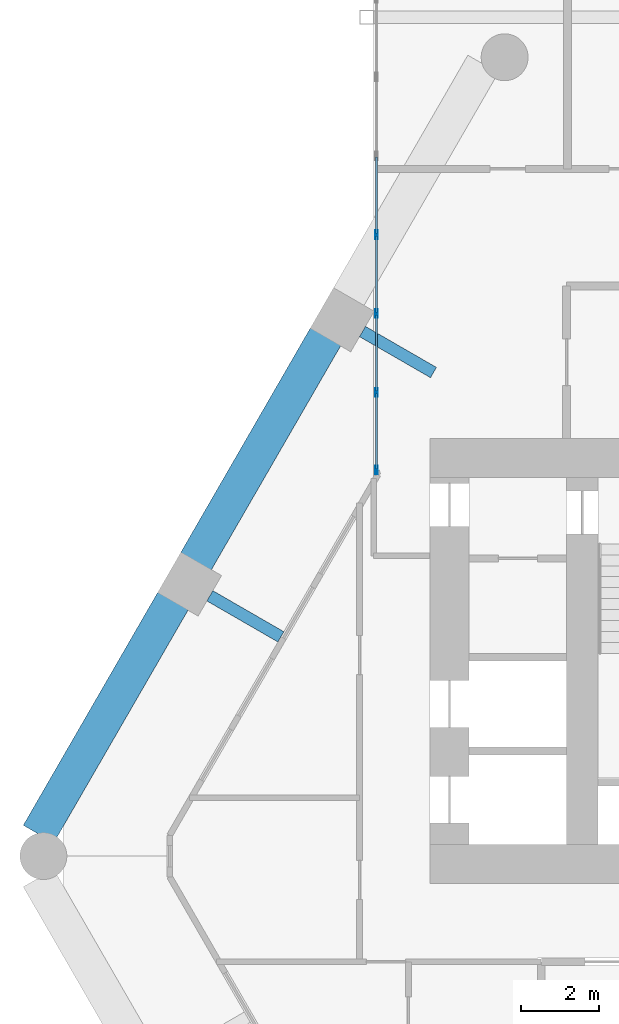
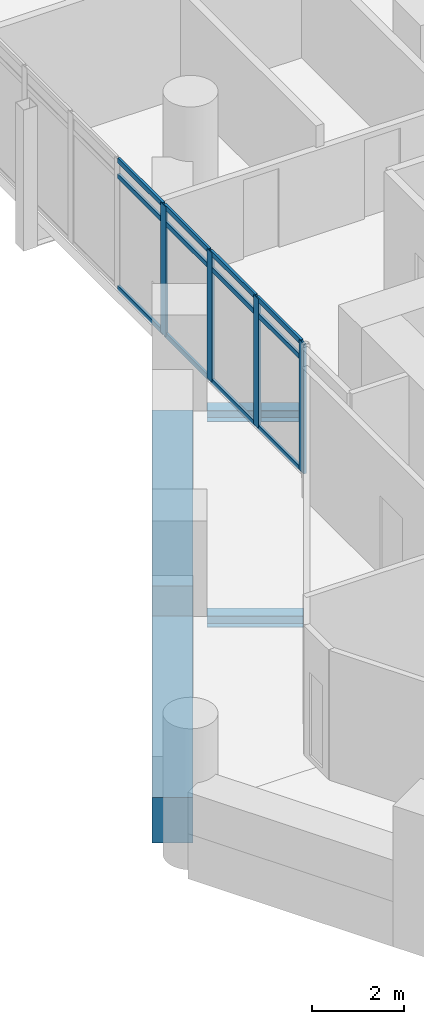
# One storey, part 12 of 28: 16 members, 4 beams, 1 element without a shape of its own.
"""IFC4 building model written with IfcOpenShell, lengths in metres."""

from ifc_helpers import new_model, si_unit, direction, frame, origin, origin_2d, place, context, subcontext, project, spatial, rectangle, hollow_rectangle, i_section, extrude, material, material_profile, profile_set, type_object, element, aggregate, save


model = new_model("IFC4")

# Units and contexts
model_context = context("Model", 3, precision=1e-05, world=origin(), true_north=direction((0.0, 1.0)))
body_context = subcontext(model_context, "Body", "Model", "MODEL_VIEW")
ifc_project = project(units=[si_unit("LENGTHUNIT", "METRE"), si_unit("AREAUNIT", "SQUARE_METRE"), si_unit("VOLUMEUNIT", "CUBIC_METRE"), si_unit("PLANEANGLEUNIT", "RADIAN"), si_unit("MASSUNIT", "GRAM", prefix="KILO")], contexts=[model_context])

# Site, building, storey
site_placement = place(None, origin())
site = spatial("IfcSite", under=ifc_project, at=site_placement, CompositionType="ELEMENT")
building_placement = place(site_placement, origin())
building = spatial("IfcBuilding", under=site, at=building_placement, Name="Ostrander Bayou Hotel Tower", CompositionType="ELEMENT")
storey_placement = place(building_placement, frame((0.0, 0.0, 134.75)))
storey = spatial("IfcBuildingStorey", under=building, at=storey_placement, Name="L33", CompositionType="ELEMENT", Elevation=134.75)

# Curtain wall, members
ifc_material_1 = material(Name="Aluminium and clear glass", Category="aluminium")
curtain_wall_type = type_object("IfcCurtainWallType", Name="CW-BAR glazed wall", PredefinedType="NOTDEFINED", material=ifc_material_1)
curtain_wall_placement = place(storey_placement, origin())
curtain_wall = element("IfcCurtainWall", 1, at=curtain_wall_placement, inside=storey, type_object=curtain_wall_type, Name="CW-BAR L33:SB3N:E", PredefinedType="NOTDEFINED")
ifc_material_2 = material(Name="Aluminium", Category="aluminium")
ifc_material_profile_1 = material_profile(ifc_material_2, hollow_rectangle(XDim=0.06005859375, YDim=0.219970703125, WallThickness=0.00390625, at=origin_2d()))
ifc_profile_set_1 = profile_set([ifc_material_profile_1], Name="Aluminium")
member_type_1 = type_object("IfcMemberType", Name="CW-BR mullion 60 x 220 mm", PredefinedType="MULLION", material=ifc_profile_set_1)
member_1_placement = place(storey_placement, frame((-13.3671875, 8.8916015625, 0.0), z_axis=(0.0, 0.0, 1.0), x_axis=(-1.0, 0.0, 0.0)))
member_1 = element("IfcMember", 2, at=member_1_placement, type_object=member_type_1, Name="CW-BAR mullion 1", PredefinedType="MULLION", context=body_context, shape_type="SweptSolid", body=[
    extrude(hollow_rectangle(XDim=0.06005859375, YDim=0.219970703125, WallThickness=0.00390625, at=origin_2d()), origin(), (0.0, 0.0, 1.0), 3.449951171875),
])
member_2_placement = place(storey_placement, frame((-13.3671875, 10.879150390625, 0.0), z_axis=(0.0, 0.0, 1.0), x_axis=(-1.0, 0.0, 0.0)))
member_2 = element("IfcMember", 3, at=member_2_placement, type_object=member_type_1, Name="CW-BAR mullion 2", PredefinedType="MULLION", context=body_context, shape_type="SweptSolid", body=[
    extrude(hollow_rectangle(XDim=0.06005859375, YDim=0.219970703125, WallThickness=0.00390625, at=origin_2d()), origin(), (0.0, 0.0, 1.0), 3.449951171875),
])
member_3_placement = place(storey_placement, frame((-13.3671875, 12.896728515625, 0.0), z_axis=(0.0, 0.0, 1.0), x_axis=(-1.0, 0.0, 0.0)))
member_3 = element("IfcMember", 4, at=member_3_placement, type_object=member_type_1, Name="CW-BAR mullion 3", PredefinedType="MULLION", context=body_context, shape_type="SweptSolid", body=[
    extrude(hollow_rectangle(XDim=0.06005859375, YDim=0.219970703125, WallThickness=0.00390625, at=origin_2d()), origin(), (0.0, 0.0, 1.0), 3.449951171875),
])
member_4_placement = place(storey_placement, frame((-13.3671875, 14.914306640625, 0.0), z_axis=(0.0, 0.0, 1.0), x_axis=(-1.0, 0.0, 0.0)))
member_4 = element("IfcMember", 5, at=member_4_placement, type_object=member_type_1, Name="CW-BAR mullion 4", PredefinedType="MULLION", context=body_context, shape_type="SweptSolid", body=[
    extrude(hollow_rectangle(XDim=0.06005859375, YDim=0.219970703125, WallThickness=0.00390625, at=origin_2d()), origin(), (0.0, 0.0, 1.0), 3.449951171875),
])
ifc_material_3 = material(Name="Aluminium", Category="aluminium")
ifc_material_profile_2 = material_profile(ifc_material_3, hollow_rectangle(XDim=0.06005859375, YDim=0.1298828125, WallThickness=0.00390625, at=origin_2d()))
ifc_profile_set_2 = profile_set([ifc_material_profile_2], Name="Aluminium")
member_type_2 = type_object("IfcMemberType", Name="CW-BR transom 60 x 130 mm", PredefinedType="USERDEFINED", material=ifc_profile_set_2)
member_5_placement = place(storey_placement, frame((-13.3671875, 8.921630859375, 0.030029296875), z_axis=(0.0, 1.0, 0.0), x_axis=(-1.0, 0.0, 0.0)))
member_5 = element("IfcMember", 6, at=member_5_placement, type_object=member_type_2, Name="CW-BAR transom 1.1", ObjectType="TRANSOM", PredefinedType="USERDEFINED", context=body_context, shape_type="SweptSolid", body=[
    extrude(hollow_rectangle(XDim=0.06005859375, YDim=0.1298828125, WallThickness=0.00390625, at=origin_2d()), origin(), (0.0, 0.0, 1.0), 1.927490234375),
])
member_6_placement = place(storey_placement, frame((-13.3671875, 8.921630859375, 3.0), z_axis=(0.0, 1.0, 0.0), x_axis=(-1.0, 0.0, 0.0)))
member_6 = element("IfcMember", 7, at=member_6_placement, type_object=member_type_2, Name="CW-BAR transom 1.2", ObjectType="TRANSOM", PredefinedType="USERDEFINED", context=body_context, shape_type="SweptSolid", body=[
    extrude(hollow_rectangle(XDim=0.06005859375, YDim=0.1298828125, WallThickness=0.00390625, at=origin_2d()), origin(), (0.0, 0.0, 1.0), 1.927490234375),
])
member_7_placement = place(storey_placement, frame((-13.3671875, 8.921630859375, 3.419921875), z_axis=(0.0, 1.0, 0.0), x_axis=(-1.0, 0.0, 0.0)))
member_7 = element("IfcMember", 8, at=member_7_placement, type_object=member_type_2, Name="CW-BAR transom 1.3", ObjectType="TRANSOM", PredefinedType="USERDEFINED", context=body_context, shape_type="SweptSolid", body=[
    extrude(hollow_rectangle(XDim=0.06005859375, YDim=0.1298828125, WallThickness=0.00390625, at=origin_2d()), origin(), (0.0, 0.0, 1.0), 1.927490234375),
])
member_8_placement = place(storey_placement, frame((-13.3671875, 10.9091796875, 0.030029296875), z_axis=(0.0, 1.0, 0.0), x_axis=(-1.0, 0.0, 0.0)))
member_8 = element("IfcMember", 9, at=member_8_placement, type_object=member_type_2, Name="CW-BAR transom 2.1", ObjectType="TRANSOM", PredefinedType="USERDEFINED", context=body_context, shape_type="SweptSolid", body=[
    extrude(hollow_rectangle(XDim=0.06005859375, YDim=0.1298828125, WallThickness=0.00390625, at=origin_2d()), origin(), (0.0, 0.0, 1.0), 1.95751953125),
])
member_9_placement = place(storey_placement, frame((-13.3671875, 10.9091796875, 3.0), z_axis=(0.0, 1.0, 0.0), x_axis=(-1.0, 0.0, 0.0)))
member_9 = element("IfcMember", 10, at=member_9_placement, type_object=member_type_2, Name="CW-BAR transom 2.2", ObjectType="TRANSOM", PredefinedType="USERDEFINED", context=body_context, shape_type="SweptSolid", body=[
    extrude(hollow_rectangle(XDim=0.06005859375, YDim=0.1298828125, WallThickness=0.00390625, at=origin_2d()), origin(), (0.0, 0.0, 1.0), 1.95751953125),
])
member_10_placement = place(storey_placement, frame((-13.3671875, 10.9091796875, 3.419921875), z_axis=(0.0, 1.0, 0.0), x_axis=(-1.0, 0.0, 0.0)))
member_10 = element("IfcMember", 11, at=member_10_placement, type_object=member_type_2, Name="CW-BAR transom 2.3", ObjectType="TRANSOM", PredefinedType="USERDEFINED", context=body_context, shape_type="SweptSolid", body=[
    extrude(hollow_rectangle(XDim=0.06005859375, YDim=0.1298828125, WallThickness=0.00390625, at=origin_2d()), origin(), (0.0, 0.0, 1.0), 1.95751953125),
])
member_11_placement = place(storey_placement, frame((-13.3671875, 12.9267578125, 0.030029296875), z_axis=(0.0, 1.0, 0.0), x_axis=(-1.0, 0.0, 0.0)))
member_11 = element("IfcMember", 12, at=member_11_placement, type_object=member_type_2, Name="CW-BAR transom 3.1", ObjectType="TRANSOM", PredefinedType="USERDEFINED", context=body_context, shape_type="SweptSolid", body=[
    extrude(hollow_rectangle(XDim=0.06005859375, YDim=0.1298828125, WallThickness=0.00390625, at=origin_2d()), origin(), (0.0, 0.0, 1.0), 1.95751953125),
])
member_12_placement = place(storey_placement, frame((-13.3671875, 12.9267578125, 3.0), z_axis=(0.0, 1.0, 0.0), x_axis=(-1.0, 0.0, 0.0)))
member_12 = element("IfcMember", 13, at=member_12_placement, type_object=member_type_2, Name="CW-BAR transom 3.2", ObjectType="TRANSOM", PredefinedType="USERDEFINED", context=body_context, shape_type="SweptSolid", body=[
    extrude(hollow_rectangle(XDim=0.06005859375, YDim=0.1298828125, WallThickness=0.00390625, at=origin_2d()), origin(), (0.0, 0.0, 1.0), 1.95751953125),
])
member_13_placement = place(storey_placement, frame((-13.3671875, 12.9267578125, 3.419921875), z_axis=(0.0, 1.0, 0.0), x_axis=(-1.0, 0.0, 0.0)))
member_13 = element("IfcMember", 14, at=member_13_placement, type_object=member_type_2, Name="CW-BAR transom 3.3", ObjectType="TRANSOM", PredefinedType="USERDEFINED", context=body_context, shape_type="SweptSolid", body=[
    extrude(hollow_rectangle(XDim=0.06005859375, YDim=0.1298828125, WallThickness=0.00390625, at=origin_2d()), origin(), (0.0, 0.0, 1.0), 1.95751953125),
])
member_14_placement = place(storey_placement, frame((-13.3671875, 14.9443359375, 0.030029296875), z_axis=(0.0, 1.0, 0.0), x_axis=(-1.0, 0.0, 0.0)))
member_14 = element("IfcMember", 15, at=member_14_placement, type_object=member_type_2, Name="CW-BAR transom 4.1", ObjectType="TRANSOM", PredefinedType="USERDEFINED", context=body_context, shape_type="SweptSolid", body=[
    extrude(hollow_rectangle(XDim=0.06005859375, YDim=0.1298828125, WallThickness=0.00390625, at=origin_2d()), origin(), (0.0, 0.0, 1.0), 1.95751953125),
])
member_15_placement = place(storey_placement, frame((-13.3671875, 14.9443359375, 3.0), z_axis=(0.0, 1.0, 0.0), x_axis=(-1.0, 0.0, 0.0)))
member_15 = element("IfcMember", 16, at=member_15_placement, type_object=member_type_2, Name="CW-BAR transom 4.2", ObjectType="TRANSOM", PredefinedType="USERDEFINED", context=body_context, shape_type="SweptSolid", body=[
    extrude(hollow_rectangle(XDim=0.06005859375, YDim=0.1298828125, WallThickness=0.00390625, at=origin_2d()), origin(), (0.0, 0.0, 1.0), 1.95751953125),
])
member_16_placement = place(storey_placement, frame((-13.3671875, 14.9443359375, 3.419921875), z_axis=(0.0, 1.0, 0.0), x_axis=(-1.0, 0.0, 0.0)))
member_16 = element("IfcMember", 17, at=member_16_placement, type_object=member_type_2, Name="CW-BAR transom 4.3", ObjectType="TRANSOM", PredefinedType="USERDEFINED", context=body_context, shape_type="SweptSolid", body=[
    extrude(hollow_rectangle(XDim=0.06005859375, YDim=0.1298828125, WallThickness=0.00390625, at=origin_2d()), origin(), (0.0, 0.0, 1.0), 1.95751953125),
])
aggregate(curtain_wall, [member_1, member_2, member_3, member_4, member_5, member_6, member_7, member_8, member_9, member_10, member_11, member_12, member_13, member_14, member_15, member_16])

# Beams
ifc_material_4 = material(Name="Steel ASTM A992", Category="steel")
ifc_material_profile_3 = material_profile(ifc_material_4, i_section(OverallWidth=0.3046875, OverallDepth=0.307861328125, WebThickness=0.010009765625, FlangeThickness=0.015380859375, at=origin_2d()))
ifc_profile_set_3 = profile_set([ifc_material_profile_3], Name="Steel ASTM A992")
beam_type_1 = type_object("IfcBeamType", Name="LB1 loggia bracket W12x65", PredefinedType="BEAM", material=ifc_profile_set_3)
for number, where, z_axis, x_axis, name in (
    (18, (-13.727783203125, 12.43701171875, -0.453857421875), (0.866009402589, -0.500027713859, 0.0), (0.500027713859, 0.866009402589, 0.0), "LB1 L33 NW1"),
    (19, (-17.634765625, 5.67041015625, -0.453857421875), (0.866038466041, -0.499977374825, 0.0), (0.499977374825, 0.866038466041, 0.0), "LB1 L33 NW2"),
):
    element("IfcBeam", number, at=place(storey_placement, frame(where, z_axis=z_axis, x_axis=x_axis)), inside=storey, type_object=beam_type_1, Name=name, PredefinedType="BEAM", context=body_context, shape_type="SweptSolid", body=[
        extrude(i_section(OverallWidth=0.3046875, OverallDepth=0.307861328125, WebThickness=0.010009765625, FlangeThickness=0.015380859375, at=origin_2d()), origin(), (0.0, 0.0, 1.0), 2.10009765625),
    ])
ifc_material_5 = material(Name="Concrete f'c 70 MPa", Category="concrete")
ifc_material_profile_4 = material_profile(ifc_material_5, rectangle(XDim=0.89990234375, YDim=1.199951171875, at=origin_2d()))
ifc_profile_set_4 = profile_set([ifc_material_profile_4], Name="Concrete f'c 70 MPa")
beam_type_2 = type_object("IfcBeamType", Name="SP2 spandrel beam 900 x 1200 mm f'c 70 MPa", PredefinedType="SPANDREL", material=ifc_profile_set_4)
beam_1_placement = place(storey_placement, frame((-14.662353515625, 12.318359375, -0.60009765625), z_axis=(-0.50001062018, -0.866019272134, 0.0), x_axis=(0.866019272134, -0.50001062018, 0.0)))
element("IfcBeam", 20, at=beam_1_placement, inside=storey, type_object=beam_type_2, Name="SP2 L33 NW-2", PredefinedType="SPANDREL", context=body_context, shape_type="SweptSolid", body=[
    extrude(rectangle(XDim=0.89990234375, YDim=1.199951171875, at=origin_2d()), origin(), (0.0, 0.0, 1.0), 6.673583984375),
])
beam_2_placement = place(storey_placement, frame((-18.569091796875, 5.551513671875, -0.60009765625), z_axis=(-0.500017246033, -0.866015446554, 0.0), x_axis=(0.866015446554, -0.500017246033, 0.0)))
element("IfcBeam", 21, at=beam_2_placement, inside=storey, type_object=beam_type_2, Name="SP2 L33 NW-3", PredefinedType="SPANDREL", context=body_context, shape_type="SweptSolid", body=[
    extrude(rectangle(XDim=0.89990234375, YDim=1.199951171875, at=origin_2d()), origin(), (0.0, 0.0, 1.0), 6.906005859375),
])

save(model, "model.ifc")
